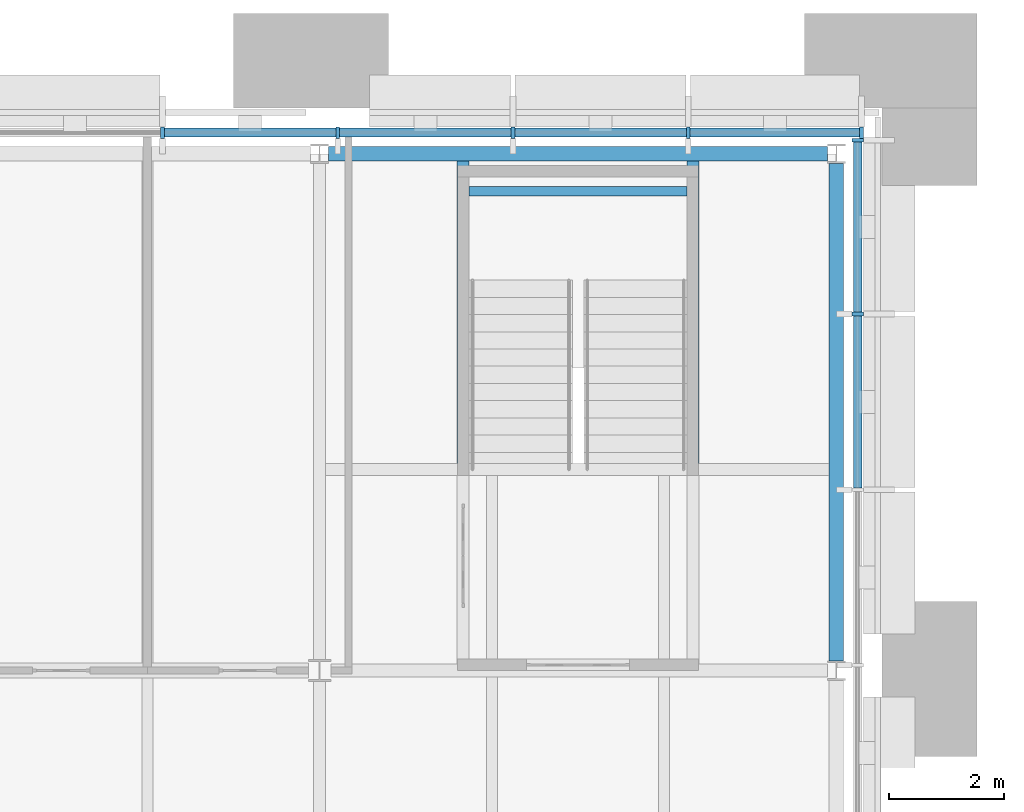
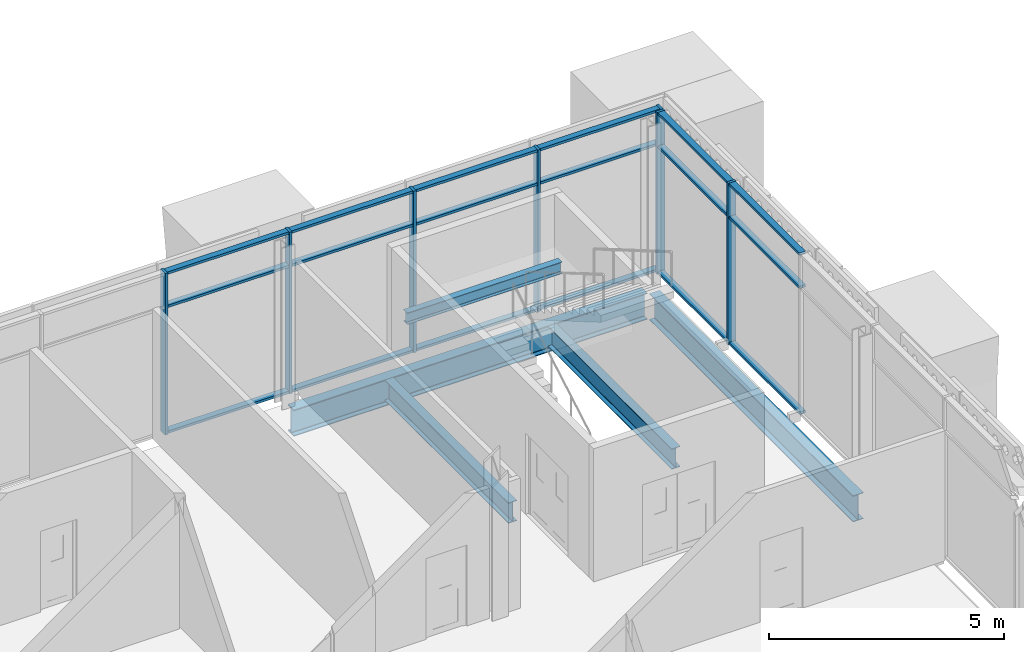
# One storey, part 16 of 37: 25 members, 5 beams, 2 elements without a shape of their own.
"""IFC4 building model written with IfcOpenShell, lengths in metres."""

from ifc_helpers import new_model, si_unit, direction, frame, origin, origin_2d, place, context, subcontext, project, spatial, rectangle, i_section, extrude, material, material_profile, profile_set, type_object, element, aggregate, save


model = new_model("IFC4")

# Units and contexts
model_context = context("Model", 3, precision=1e-05, world=origin(), true_north=direction((0.0, 1.0)))
body_context = subcontext(model_context, "Body", "Model", "MODEL_VIEW")
ifc_project = project(units=[si_unit("LENGTHUNIT", "METRE"), si_unit("AREAUNIT", "SQUARE_METRE"), si_unit("VOLUMEUNIT", "CUBIC_METRE"), si_unit("PLANEANGLEUNIT", "RADIAN"), si_unit("MASSUNIT", "GRAM", prefix="KILO")], contexts=[model_context])

# Site, building, storey
site_placement = place(None, origin())
site = spatial("IfcSite", under=ifc_project, at=site_placement, CompositionType="ELEMENT")
building_placement = place(site_placement, origin())
building = spatial("IfcBuilding", under=site, at=building_placement, Name="Baradari Gate Terminus", CompositionType="ELEMENT")
storey_placement = place(building_placement, frame((0.0, 0.0, 24.300048828125)))
storey = spatial("IfcBuildingStorey", under=building, at=storey_placement, Name="L05", CompositionType="ELEMENT", Elevation=24.300048828125)

# Curtain wall, members
ifc_material_1 = material(Name="Aluminium 6063-T6", Category="aluminium")
curtain_wall_type = type_object("IfcCurtainWallType", Name="Curtain wall CW-1 block unitised, zone L02-L05", PredefinedType="NOTDEFINED", material=ifc_material_1)
curtain_wall_1_placement = place(storey_placement, origin())
curtain_wall_1 = element("IfcCurtainWall", 1, at=curtain_wall_1_placement, inside=storey, type_object=curtain_wall_type, Name="Curtain wall CW-1 Operations block N face L05", PredefinedType="NOTDEFINED")
ifc_material_2 = material(Name="Aluminium 6063-T6", Category="aluminium")
ifc_material_profile_1 = material_profile(ifc_material_2, rectangle(XDim=0.199951171875, YDim=0.06494140625, at=origin_2d()), Name="CM-1 65X200")
ifc_profile_set_1 = profile_set([ifc_material_profile_1], Name="Aluminium 6063-T6")
member_type_1 = type_object("IfcMemberType", Name="Curtain wall mullion CM-1 65x200", PredefinedType="MULLION", material=ifc_profile_set_1)
member_1_placement = place(storey_placement, frame((51.26123046875, 144.3701171875, 0.0), z_axis=(0.0, 0.0, 1.0), x_axis=(0.0, 1.0, 0.0)))
member_1 = element("IfcMember", 2, at=member_1_placement, type_object=member_type_1, Name="CW-1 mullion 15", PredefinedType="MULLION", context=body_context, shape_type="SweptSolid", body=[
    extrude(rectangle(XDim=0.199951171875, YDim=0.06494140625, at=origin_2d()), origin(), (0.0, 0.0, 1.0), 4.199951171875),
])
member_2_placement = place(storey_placement, frame((54.313232421875, 144.3701171875, 0.0), z_axis=(0.0, 0.0, 1.0), x_axis=(0.0, 1.0, 0.0)))
member_2 = element("IfcMember", 3, at=member_2_placement, type_object=member_type_1, Name="CW-1 mullion 16", PredefinedType="MULLION", context=body_context, shape_type="SweptSolid", body=[
    extrude(rectangle(XDim=0.199951171875, YDim=0.06494140625, at=origin_2d()), origin(), (0.0, 0.0, 1.0), 4.199951171875),
])
member_3_placement = place(storey_placement, frame((57.365478515625, 144.3701171875, 0.0), z_axis=(0.0, 0.0, 1.0), x_axis=(0.0, 1.0, 0.0)))
member_3 = element("IfcMember", 4, at=member_3_placement, type_object=member_type_1, Name="CW-1 mullion 17", PredefinedType="MULLION", context=body_context, shape_type="SweptSolid", body=[
    extrude(rectangle(XDim=0.199951171875, YDim=0.06494140625, at=origin_2d()), origin(), (0.0, 0.0, 1.0), 4.199951171875),
])
member_4_placement = place(storey_placement, frame((60.417724609375, 144.3701171875, 0.0), z_axis=(0.0, 0.0, 1.0), x_axis=(0.0, 1.0, 0.0)))
member_4 = element("IfcMember", 5, at=member_4_placement, type_object=member_type_1, Name="CW-1 mullion 18", PredefinedType="MULLION", context=body_context, shape_type="SweptSolid", body=[
    extrude(rectangle(XDim=0.199951171875, YDim=0.06494140625, at=origin_2d()), origin(), (0.0, 0.0, 1.0), 4.199951171875),
])
member_5_placement = place(storey_placement, frame((63.4375, 144.3701171875, 0.0), z_axis=(0.0, 0.0, 1.0), x_axis=(0.0, 1.0, 0.0)))
member_5 = element("IfcMember", 6, at=member_5_placement, type_object=member_type_1, Name="CW-1 mullion 19", PredefinedType="MULLION", context=body_context, shape_type="SweptSolid", body=[
    extrude(rectangle(XDim=0.199951171875, YDim=0.06494140625, at=origin_2d()), origin(), (0.0, 0.0, 1.0), 4.199951171875),
])

curtain_wall_2_placement = place(storey_placement, origin())
curtain_wall_2 = element("IfcCurtainWall", 7, at=curtain_wall_2_placement, inside=storey, type_object=curtain_wall_type, Name="Curtain wall CW-1 Operations block E face L05", PredefinedType="NOTDEFINED")
member_6_placement = place(storey_placement, frame((63.3701171875, 141.2099609375, 0.0), z_axis=(0.0, 0.0, 1.0), x_axis=(-1.0, 0.0, 0.0)))
member_6 = element("IfcMember", 8, at=member_6_placement, type_object=member_type_1, Name="CW-1 mullion 9", PredefinedType="MULLION", context=body_context, shape_type="SweptSolid", body=[
    extrude(rectangle(XDim=0.199951171875, YDim=0.06494140625, at=origin_2d()), origin(), (0.0, 0.0, 1.0), 4.199951171875),
])
member_7_placement = place(storey_placement, frame((63.3701171875, 144.237548828125, 0.0), z_axis=(0.0, 0.0, 1.0), x_axis=(-1.0, 0.0, 0.0)))
member_7 = element("IfcMember", 9, at=member_7_placement, type_object=member_type_1, Name="CW-1 mullion 10", PredefinedType="MULLION", context=body_context, shape_type="SweptSolid", body=[
    extrude(rectangle(XDim=0.199951171875, YDim=0.06494140625, at=origin_2d()), origin(), (0.0, 0.0, 1.0), 4.199951171875),
])

# Member
ifc_material_3 = material(Name="Aluminium 6063-T6", Category="aluminium")
ifc_material_profile_2 = material_profile(ifc_material_3, rectangle(XDim=0.14990234375, YDim=0.06494140625, at=origin_2d()), Name="CT-1 65X150")
ifc_profile_set_2 = profile_set([ifc_material_profile_2], Name="Aluminium 6063-T6")
member_type_2 = type_object("IfcMemberType", Name="Curtain wall transom CT-1 65x150", PredefinedType="USERDEFINED", material=ifc_profile_set_2)
member_8_placement = place(storey_placement, frame((51.293701171875, 144.3701171875, 0.032470703125), z_axis=(1.0, 0.0, 0.0), x_axis=(0.0, 1.0, 0.0)))
member_8 = element("IfcMember", 10, at=member_8_placement, type_object=member_type_2, Name="CW-1 transom 15.1", ObjectType="TRANSOM", PredefinedType="USERDEFINED", context=body_context, shape_type="SweptSolid", body=[
    extrude(rectangle(XDim=0.14990234375, YDim=0.06494140625, at=origin_2d()), origin(), (0.0, 0.0, 1.0), 2.987060546875),
])

member_9_placement = place(storey_placement, frame((51.293701171875, 144.3701171875, 3.300048828125), z_axis=(1.0, 0.0, 0.0), x_axis=(0.0, 1.0, 0.0)))
member_9 = element("IfcMember", 11, at=member_9_placement, type_object=member_type_2, Name="CW-1 transom 15.2", ObjectType="TRANSOM", PredefinedType="USERDEFINED", context=body_context, shape_type="SweptSolid", body=[
    extrude(rectangle(XDim=0.14990234375, YDim=0.06494140625, at=origin_2d()), origin(), (0.0, 0.0, 1.0), 2.987060546875),
])

member_10_placement = place(storey_placement, frame((51.293701171875, 144.3701171875, 4.16748046875), z_axis=(1.0, 0.0, 0.0), x_axis=(0.0, 1.0, 0.0)))
member_10 = element("IfcMember", 12, at=member_10_placement, type_object=member_type_2, Name="CW-1 transom 15.3", ObjectType="TRANSOM", PredefinedType="USERDEFINED", context=body_context, shape_type="SweptSolid", body=[
    extrude(rectangle(XDim=0.14990234375, YDim=0.06494140625, at=origin_2d()), origin(), (0.0, 0.0, 1.0), 2.987060546875),
])

member_11_placement = place(storey_placement, frame((54.345947265625, 144.3701171875, 0.032470703125), z_axis=(1.0, 0.0, 0.0), x_axis=(0.0, 1.0, 0.0)))
member_11 = element("IfcMember", 13, at=member_11_placement, type_object=member_type_2, Name="CW-1 transom 16.1", ObjectType="TRANSOM", PredefinedType="USERDEFINED", context=body_context, shape_type="SweptSolid", body=[
    extrude(rectangle(XDim=0.14990234375, YDim=0.06494140625, at=origin_2d()), origin(), (0.0, 0.0, 1.0), 2.987060546875),
])

member_12_placement = place(storey_placement, frame((54.345947265625, 144.3701171875, 3.300048828125), z_axis=(1.0, 0.0, 0.0), x_axis=(0.0, 1.0, 0.0)))
member_12 = element("IfcMember", 14, at=member_12_placement, type_object=member_type_2, Name="CW-1 transom 16.2", ObjectType="TRANSOM", PredefinedType="USERDEFINED", context=body_context, shape_type="SweptSolid", body=[
    extrude(rectangle(XDim=0.14990234375, YDim=0.06494140625, at=origin_2d()), origin(), (0.0, 0.0, 1.0), 2.987060546875),
])

member_13_placement = place(storey_placement, frame((54.345947265625, 144.3701171875, 4.16748046875), z_axis=(1.0, 0.0, 0.0), x_axis=(0.0, 1.0, 0.0)))
member_13 = element("IfcMember", 15, at=member_13_placement, type_object=member_type_2, Name="CW-1 transom 16.3", ObjectType="TRANSOM", PredefinedType="USERDEFINED", context=body_context, shape_type="SweptSolid", body=[
    extrude(rectangle(XDim=0.14990234375, YDim=0.06494140625, at=origin_2d()), origin(), (0.0, 0.0, 1.0), 2.987060546875),
])

member_14_placement = place(storey_placement, frame((57.39794921875, 144.3701171875, 0.032470703125), z_axis=(1.0, 0.0, 0.0), x_axis=(0.0, 1.0, 0.0)))
member_14 = element("IfcMember", 16, at=member_14_placement, type_object=member_type_2, Name="CW-1 transom 17.1", ObjectType="TRANSOM", PredefinedType="USERDEFINED", context=body_context, shape_type="SweptSolid", body=[
    extrude(rectangle(XDim=0.14990234375, YDim=0.06494140625, at=origin_2d()), origin(), (0.0, 0.0, 1.0), 2.9873046875),
])

member_15_placement = place(storey_placement, frame((57.39794921875, 144.3701171875, 3.300048828125), z_axis=(1.0, 0.0, 0.0), x_axis=(0.0, 1.0, 0.0)))
member_15 = element("IfcMember", 17, at=member_15_placement, type_object=member_type_2, Name="CW-1 transom 17.2", ObjectType="TRANSOM", PredefinedType="USERDEFINED", context=body_context, shape_type="SweptSolid", body=[
    extrude(rectangle(XDim=0.14990234375, YDim=0.06494140625, at=origin_2d()), origin(), (0.0, 0.0, 1.0), 2.9873046875),
])

member_16_placement = place(storey_placement, frame((57.39794921875, 144.3701171875, 4.16748046875), z_axis=(1.0, 0.0, 0.0), x_axis=(0.0, 1.0, 0.0)))
member_16 = element("IfcMember", 18, at=member_16_placement, type_object=member_type_2, Name="CW-1 transom 17.3", ObjectType="TRANSOM", PredefinedType="USERDEFINED", context=body_context, shape_type="SweptSolid", body=[
    extrude(rectangle(XDim=0.14990234375, YDim=0.06494140625, at=origin_2d()), origin(), (0.0, 0.0, 1.0), 2.9873046875),
])

member_17_placement = place(storey_placement, frame((60.4501953125, 144.3701171875, 0.032470703125), z_axis=(1.0, 0.0, 0.0), x_axis=(0.0, 1.0, 0.0)))
member_17 = element("IfcMember", 19, at=member_17_placement, type_object=member_type_2, Name="CW-1 transom 18.1", ObjectType="TRANSOM", PredefinedType="USERDEFINED", context=body_context, shape_type="SweptSolid", body=[
    extrude(rectangle(XDim=0.14990234375, YDim=0.06494140625, at=origin_2d()), origin(), (0.0, 0.0, 1.0), 2.954833984375),
])

member_18_placement = place(storey_placement, frame((60.4501953125, 144.3701171875, 3.300048828125), z_axis=(1.0, 0.0, 0.0), x_axis=(0.0, 1.0, 0.0)))
member_18 = element("IfcMember", 20, at=member_18_placement, type_object=member_type_2, Name="CW-1 transom 18.2", ObjectType="TRANSOM", PredefinedType="USERDEFINED", context=body_context, shape_type="SweptSolid", body=[
    extrude(rectangle(XDim=0.14990234375, YDim=0.06494140625, at=origin_2d()), origin(), (0.0, 0.0, 1.0), 2.954833984375),
])

member_19_placement = place(storey_placement, frame((60.4501953125, 144.3701171875, 4.16748046875), z_axis=(1.0, 0.0, 0.0), x_axis=(0.0, 1.0, 0.0)))
member_19 = element("IfcMember", 21, at=member_19_placement, type_object=member_type_2, Name="CW-1 transom 18.3", ObjectType="TRANSOM", PredefinedType="USERDEFINED", context=body_context, shape_type="SweptSolid", body=[
    extrude(rectangle(XDim=0.14990234375, YDim=0.06494140625, at=origin_2d()), origin(), (0.0, 0.0, 1.0), 2.954833984375),
])

aggregate(curtain_wall_1, [member_1, member_2, member_3, member_4, member_5, member_8, member_9, member_10, member_11, member_12, member_13, member_14, member_15, member_16, member_17, member_18, member_19])

member_20_placement = place(storey_placement, frame((63.3701171875, 138.1826171875, 0.032470703125), z_axis=(0.0, 1.0, 0.0), x_axis=(-1.0, 0.0, 0.0)))
member_20 = element("IfcMember", 22, at=member_20_placement, type_object=member_type_2, Name="CW-1 transom 8.1", ObjectType="TRANSOM", PredefinedType="USERDEFINED", context=body_context, shape_type="SweptSolid", body=[
    extrude(rectangle(XDim=0.14990234375, YDim=0.06494140625, at=origin_2d()), origin(), (0.0, 0.0, 1.0), 2.994873046875),
])

member_21_placement = place(storey_placement, frame((63.3701171875, 138.1826171875, 3.300048828125), z_axis=(0.0, 1.0, 0.0), x_axis=(-1.0, 0.0, 0.0)))
member_21 = element("IfcMember", 23, at=member_21_placement, type_object=member_type_2, Name="CW-1 transom 8.2", ObjectType="TRANSOM", PredefinedType="USERDEFINED", context=body_context, shape_type="SweptSolid", body=[
    extrude(rectangle(XDim=0.14990234375, YDim=0.06494140625, at=origin_2d()), origin(), (0.0, 0.0, 1.0), 2.994873046875),
])

member_22_placement = place(storey_placement, frame((63.3701171875, 138.1826171875, 4.16748046875), z_axis=(0.0, 1.0, 0.0), x_axis=(-1.0, 0.0, 0.0)))
member_22 = element("IfcMember", 24, at=member_22_placement, type_object=member_type_2, Name="CW-1 transom 8.3", ObjectType="TRANSOM", PredefinedType="USERDEFINED", context=body_context, shape_type="SweptSolid", body=[
    extrude(rectangle(XDim=0.14990234375, YDim=0.06494140625, at=origin_2d()), origin(), (0.0, 0.0, 1.0), 2.994873046875),
])

member_23_placement = place(storey_placement, frame((63.3701171875, 141.242431640625, 0.032470703125), z_axis=(0.0, 1.0, 0.0), x_axis=(-1.0, 0.0, 0.0)))
member_23 = element("IfcMember", 25, at=member_23_placement, type_object=member_type_2, Name="CW-1 transom 9.1", ObjectType="TRANSOM", PredefinedType="USERDEFINED", context=body_context, shape_type="SweptSolid", body=[
    extrude(rectangle(XDim=0.14990234375, YDim=0.06494140625, at=origin_2d()), origin(), (0.0, 0.0, 1.0), 2.962646484375),
])

member_24_placement = place(storey_placement, frame((63.3701171875, 141.242431640625, 3.300048828125), z_axis=(0.0, 1.0, 0.0), x_axis=(-1.0, 0.0, 0.0)))
member_24 = element("IfcMember", 26, at=member_24_placement, type_object=member_type_2, Name="CW-1 transom 9.2", ObjectType="TRANSOM", PredefinedType="USERDEFINED", context=body_context, shape_type="SweptSolid", body=[
    extrude(rectangle(XDim=0.14990234375, YDim=0.06494140625, at=origin_2d()), origin(), (0.0, 0.0, 1.0), 2.962646484375),
])

member_25_placement = place(storey_placement, frame((63.3701171875, 141.242431640625, 4.16748046875), z_axis=(0.0, 1.0, 0.0), x_axis=(-1.0, 0.0, 0.0)))
member_25 = element("IfcMember", 27, at=member_25_placement, type_object=member_type_2, Name="CW-1 transom 9.3", ObjectType="TRANSOM", PredefinedType="USERDEFINED", context=body_context, shape_type="SweptSolid", body=[
    extrude(rectangle(XDim=0.14990234375, YDim=0.06494140625, at=origin_2d()), origin(), (0.0, 0.0, 1.0), 2.962646484375),
])

aggregate(curtain_wall_2, [member_6, member_7, member_20, member_21, member_22, member_23, member_24, member_25])

# Beams
ifc_material_4 = material(Name="Steel S355", Category="steel")
ifc_material_profile_3 = material_profile(ifc_material_4, i_section(OverallWidth=0.1650390625, OverallDepth=0.303466796875, WebThickness=0.006103515625, FlangeThickness=0.01025390625, FilletRadius=0.0087890625, at=origin_2d()), Name="UB 305x165x40")
ifc_profile_set_3 = profile_set([ifc_material_profile_3], Name="Steel S355")
beam_type_1 = type_object("IfcBeamType", Name="Landing beam B77 UB 305x165x40", PredefinedType="BEAM", material=ifc_profile_set_3)
beam_1_placement = place(storey_placement, frame((56.60009765625, 143.35009765625, 1.748291015625), z_axis=(1.0, 0.0, 0.0), x_axis=(0.0, 1.0, 0.0)))
element("IfcBeam", 28, at=beam_1_placement, inside=storey, type_object=beam_type_1, Name="B77 landing beam ST-T3/L1", PredefinedType="BEAM", context=body_context, shape_type="SweptSolid", body=[
    extrude(i_section(OverallWidth=0.1650390625, OverallDepth=0.303466796875, WebThickness=0.006103515625, FlangeThickness=0.01025390625, FilletRadius=0.0087890625, at=origin_2d()), origin(), (0.0, 0.0, 1.0), 3.7998046875),
])
ifc_material_5 = material(Name="Steel S355", Category="steel")
ifc_material_profile_4 = material_profile(ifc_material_5, i_section(OverallWidth=0.25439453125, OverallDepth=0.6875, WebThickness=0.01318359375, FlangeThickness=0.02099609375, FilletRadius=0.01513671875, at=origin_2d()), Name="UB 686x254x152")
ifc_profile_set_4 = profile_set([ifc_material_profile_4], Name="Steel S355")
beam_type_2 = type_object("IfcBeamType", Name="Operations block moment frame beam B32 UB 686x254x152", PredefinedType="BEAM", material=ifc_profile_set_4)
beam_2_placement = place(storey_placement, frame((54.1572265625, 144.0, -0.473876953125), z_axis=(1.0, 0.0, 0.0), x_axis=(0.0, 1.0, 0.0)))
element("IfcBeam", 29, at=beam_2_placement, inside=storey, type_object=beam_type_2, Name="Operations block moment frame beam B32 S:54.157-62.843 L05", PredefinedType="BEAM", context=body_context, shape_type="SweptSolid", body=[
    extrude(i_section(OverallWidth=0.25439453125, OverallDepth=0.6875, WebThickness=0.01318359375, FlangeThickness=0.02099609375, FilletRadius=0.01513671875, at=origin_2d()), origin(), (0.0, 0.0, 1.0), 8.685546875),
])
beam_3_placement = place(storey_placement, frame((63.0, 135.169921875, -0.473876953125), z_axis=(0.0, 1.0, 0.0), x_axis=(-1.0, 0.0, 0.0)))
element("IfcBeam", 30, at=beam_3_placement, inside=storey, type_object=beam_type_2, Name="Operations block moment frame beam B32 8:135.17-143.83 L05", PredefinedType="BEAM", context=body_context, shape_type="SweptSolid", body=[
    extrude(i_section(OverallWidth=0.25439453125, OverallDepth=0.6875, WebThickness=0.01318359375, FlangeThickness=0.02099609375, FilletRadius=0.01513671875, at=origin_2d()), origin(), (0.0, 0.0, 1.0), 8.66015625),
])
ifc_material_6 = material(Name="Steel S355", Category="steel")
ifc_material_profile_5 = material_profile(ifc_material_6, i_section(OverallWidth=0.209228515625, OverallDepth=0.533203125, WebThickness=0.010009765625, FlangeThickness=0.015625, FilletRadius=0.0126953125, at=origin_2d()), Name="UB 533x210x92")
ifc_profile_set_5 = profile_set([ifc_material_profile_5], Name="Steel S355")
beam_type_3 = type_object("IfcBeamType", Name="Operations block trimmer beam B27 UB 533x210x92", PredefinedType="BEAM", material=ifc_profile_set_5)
for number, where, z_axis, x_axis, name in (
    (31, (56.4951171875, 138.6044921875, -0.396484375), (0.0, 1.0, 0.0), (-1.0, 0.0, 0.0), "Operations block trimmer beam B27 56.495:138.605-143.873 L05"),
    (32, (60.5048828125, 138.6044921875, -0.396484375), (0.0, 1.0, 0.0), (-1.0, 0.0, 0.0), "Operations block trimmer beam B27 60.505:138.605-143.873 L05"),
):
    element("IfcBeam", number, at=place(storey_placement, frame(where, z_axis=z_axis, x_axis=x_axis)), inside=storey, type_object=beam_type_3, Name=name, PredefinedType="BEAM", context=body_context, shape_type="SweptSolid", body=[
        extrude(i_section(OverallWidth=0.209228515625, OverallDepth=0.533203125, WebThickness=0.010009765625, FlangeThickness=0.015625, FilletRadius=0.0126953125, at=origin_2d()), origin(), (0.0, 0.0, 1.0), 5.268310546875),
    ])

save(model, "model.ifc")
